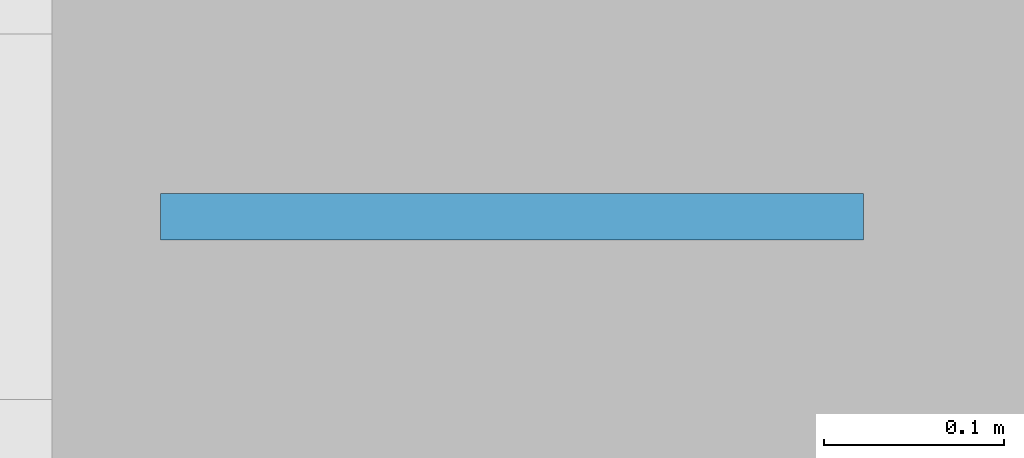
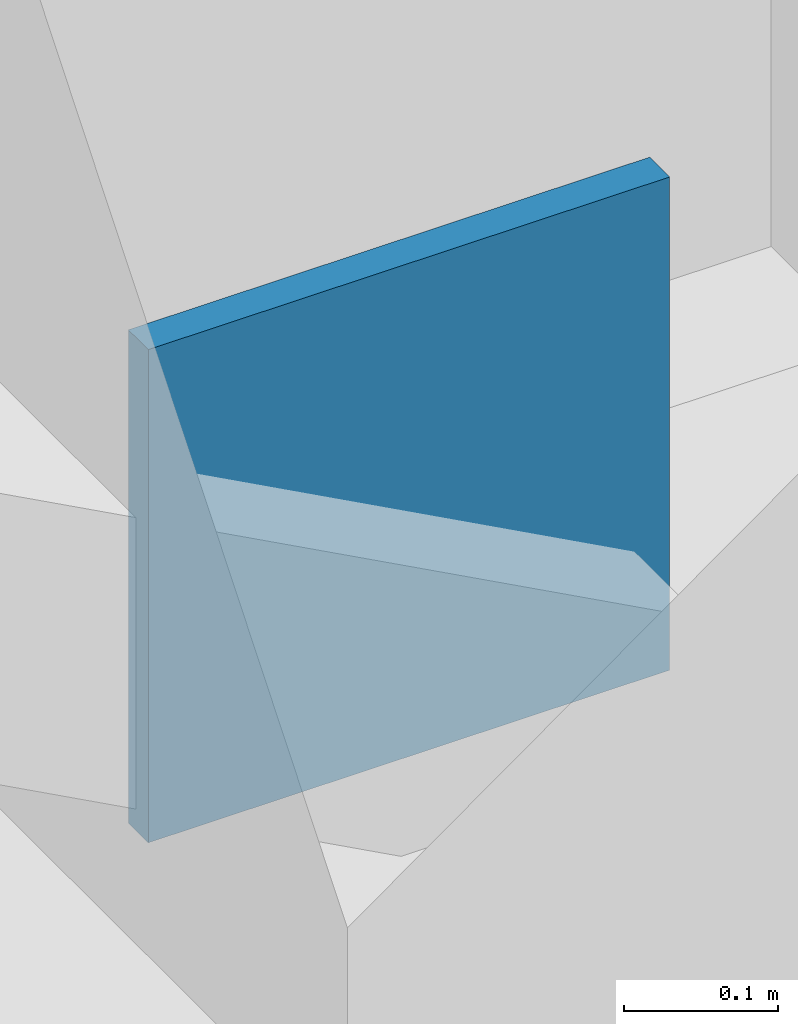
# One storey, part 114 of 147: 1 plate.
"""IFC4 building model written with IfcOpenShell, lengths in metres."""

from ifc_helpers import new_model, si_unit, direction, frame, origin, origin_2d, place, context, subcontext, project, spatial, rectangle, extrude, material, layer, layer_set, type_object, element, save


model = new_model("IFC4")

# Units and contexts
model_context = context("Model", 3, precision=1e-05, world=origin(), true_north=direction((0.0, 1.0)))
body_context = subcontext(model_context, "Body", "Model", "MODEL_VIEW")
ifc_project = project(units=[si_unit("LENGTHUNIT", "METRE"), si_unit("AREAUNIT", "SQUARE_METRE"), si_unit("VOLUMEUNIT", "CUBIC_METRE"), si_unit("PLANEANGLEUNIT", "RADIAN"), si_unit("MASSUNIT", "GRAM", prefix="KILO")], contexts=[model_context])

# Site, building, storey
site_placement = place(None, origin())
site = spatial("IfcSite", under=ifc_project, at=site_placement, CompositionType="ELEMENT")
building_placement = place(site_placement, origin())
building = spatial("IfcBuilding", under=site, at=building_placement, Name="Oolite Switchyard Hospital", CompositionType="ELEMENT")
storey_placement = place(building_placement, frame((0.0, 0.0, 9.89990234375)))
storey = spatial("IfcBuildingStorey", under=building, at=storey_placement, Name="L02", CompositionType="ELEMENT", Elevation=9.89990234375)

# Plate
ifc_material = material(Name="Steel ASTM A572 Grade 50", Category="steel")
ifc_layer = layer(ifc_material, 0.02587890625)
ifc_layer_set = layer_set([ifc_layer], Name="PLT-GUS-390")
plate_type = type_object("IfcPlateType", Name="PLT-GUS-390", PredefinedType="SHEET", material=ifc_layer_set)
plate_placement = place(storey_placement, frame((163.080078125, 8.39990234375, 0.00537109375), z_axis=(0.0, 0.0, 1.0), x_axis=(1.0, 0.0, 0.0)))
element("IfcPlate", 1, at=plate_placement, inside=storey, type_object=plate_type, Name="L02 Brace Base Gusset Plate 98", PredefinedType="SHEET", context=body_context, shape_type="SweptSolid", body=[
    extrude(rectangle(XDim=0.389892578125, YDim=0.02587890625, at=origin_2d()), origin(), (0.0, 0.0, 1.0), 0.389892578125),
])

save(model, "model.ifc")
